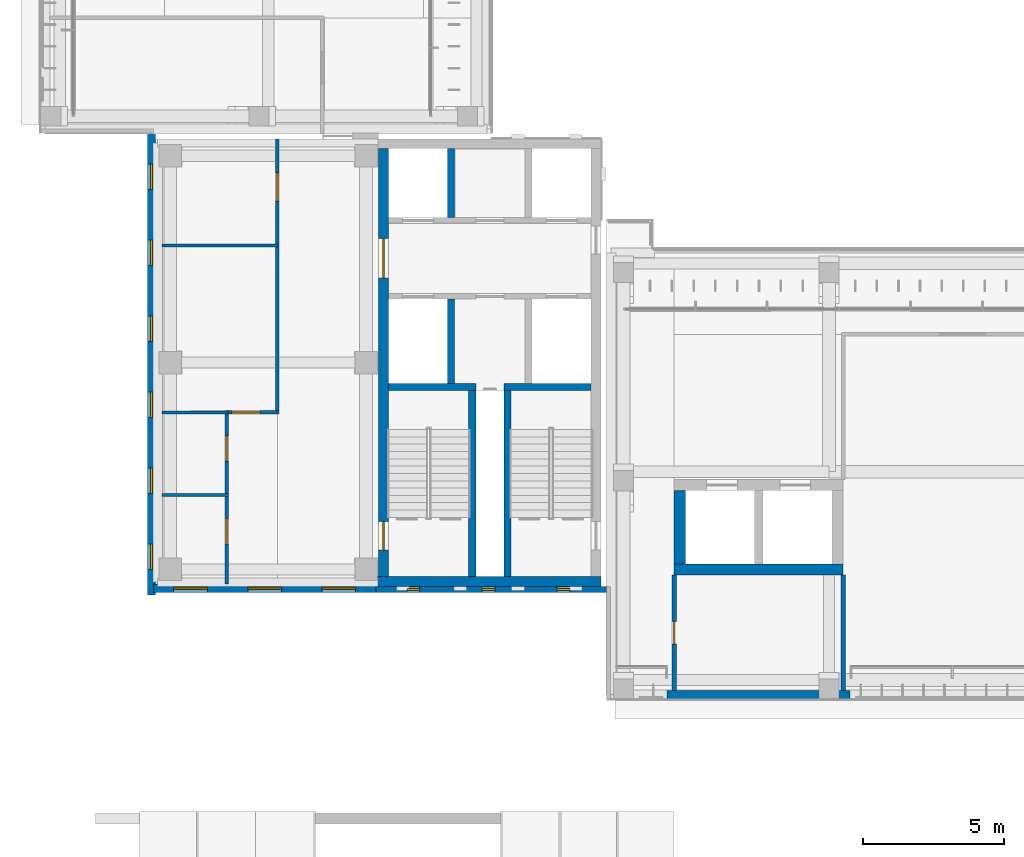
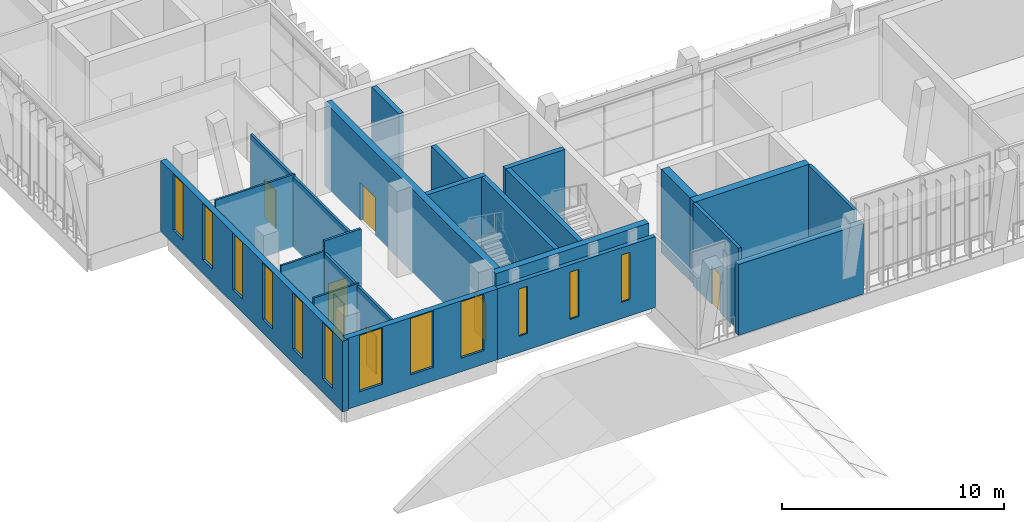
# One storey, part 42 of 74: 22 walls, 12 windows, 7 doors, 19 openings.
"""IFC4 building model written with IfcOpenShell, lengths in metres."""

import ifcopenshell
import ifcopenshell.guid

model = None  # the IFC model being written
_history = None  # IfcOwnerHistory: only IFC2X3 demands one
_inside = {}  # id of a spatial element -> (the spatial element, [elements in it])
_under = {}  # id of a project, library or spatial element -> (it, [spatial elements below it])
_declared = {}  # id of a project -> (the project, [libraries it declares])
_typed = {}  # id of a type object -> (the type object, [elements of that type])
_made_of = {}  # id of a material, layer set ... -> (it, [elements and type objects made of it])


def new_model(schema):
    """Start an empty IFC model of exactly this schema.

    Asked for "IFC4X3", IfcOpenShell would pick the latest addendum, in which some entities
    have other attributes; the version numbers below select the first issue.
    IFC2X3 requires an IfcOwnerHistory on every rooted entity: one is made here for all.
    """
    global model, _history
    if schema == "IFC4X3":
        model = ifcopenshell.file(schema_version=(4, 3, 0, 0))
    else:
        model = ifcopenshell.file(schema=schema)
    _inside.clear()
    _under.clear()
    _declared.clear()
    _typed.clear()
    _made_of.clear()
    _history = None
    if model.schema == "IFC2X3":
        org = make("IfcOrganization", Name="unknown")
        user = make(
            "IfcPersonAndOrganization",
            ThePerson=make("IfcPerson", FamilyName="unknown"),
            TheOrganization=org,
        )
        app = make(
            "IfcApplication",
            ApplicationDeveloper=org,
            Version="unknown",
            ApplicationFullName="unknown",
            ApplicationIdentifier="unknown",
        )
        _history = make(
            "IfcOwnerHistory",
            OwningUser=user,
            OwningApplication=app,
            ChangeAction="ADDED",
            CreationDate=0,
        )
    return model


def make(cls, **values):
    """One entity of the class cls with the attributes given. An attribute that is None is left unset."""
    return model.create_entity(
        cls, **{name: value for name, value in values.items() if value is not None}
    )


def rooted(cls, **values):
    """An entity with a GlobalId (a new one), such as an element, a storey or a relation."""
    return make(cls, GlobalId=ifcopenshell.guid.new(), OwnerHistory=_history, **values)


def si_unit(unit_type, name, prefix=None):
    """IfcSIUnit, for example si_unit("LENGTHUNIT", "METRE", prefix="MILLI")."""
    return make("IfcSIUnit", UnitType=unit_type, Prefix=prefix, Name=name)


def assignment(units):
    """IfcUnitAssignment: the units of a project."""
    return None if units is None else make("IfcUnitAssignment", Units=units)


def point(xyz):
    """IfcCartesianPoint."""
    return None if xyz is None else make("IfcCartesianPoint", Coordinates=xyz)


def direction(xyz):
    """IfcDirection."""
    return None if xyz is None else make("IfcDirection", DirectionRatios=xyz)


def frame(location, z_axis=None, x_axis=None):
    """IfcAxis2Placement3D, a coordinate frame: its origin and axes. An axis left out is left unset."""
    return make(
        "IfcAxis2Placement3D",
        Location=point(location),
        Axis=direction(z_axis),
        RefDirection=direction(x_axis),
    )


def frame_2d(location, x_axis=None):
    """IfcAxis2Placement2D, a coordinate frame in the plane: its origin and x axis."""
    return make(
        "IfcAxis2Placement2D", Location=point(location), RefDirection=direction(x_axis)
    )


def origin():
    """The frame at (0, 0, 0) with its axes left unset."""
    return frame((0.0, 0.0, 0.0))


def place(relative_to, where):
    """IfcLocalPlacement: puts the frame where relative to a parent placement (None: the world)."""
    return make(
        "IfcLocalPlacement", PlacementRelTo=relative_to, RelativePlacement=where
    )


def context(
    kind, dimensions, precision=None, world=None, true_north=None, identifier=None
):
    """IfcGeometricRepresentationContext, for example the 3D "Model" context."""
    return make(
        "IfcGeometricRepresentationContext",
        ContextIdentifier=identifier,
        ContextType=kind,
        CoordinateSpaceDimension=dimensions,
        Precision=precision,
        WorldCoordinateSystem=world,
        TrueNorth=true_north,
    )


def subcontext(parent, identifier, kind, view, scale=None):
    """IfcGeometricRepresentationSubContext, for example "Body" below "Model"."""
    return make(
        "IfcGeometricRepresentationSubContext",
        ContextIdentifier=identifier,
        ContextType=kind,
        ParentContext=parent,
        TargetScale=scale,
        TargetView=view,
    )


def project(units=None, contexts=None):
    """IfcProject with its units and contexts."""
    return rooted(
        "IfcProject",
        Name="project",
        RepresentationContexts=contexts,
        UnitsInContext=assignment(units),
    )


def spatial(cls, under=None, at=None, **own):
    """A site, building, storey or space (cls), placed at a placement, below another one or the project."""
    s = rooted(cls, ObjectPlacement=at, **own)
    if under is not None:
        _under.setdefault(under.id(), (under, []))[1].append(s)
    return s


def profile(cls, at=None, kind="AREA", **sizes):
    """A parametric profile (cls). Its sizes go by their IFC names, for example OverallWidth=200.0."""
    return make(cls, ProfileType=kind, Position=at, **sizes)


def rectangle(**sizes):
    """IfcRectangleProfileDef."""
    return profile("IfcRectangleProfileDef", **sizes)


def extrude(swept, where, along, depth):
    """IfcExtrudedAreaSolid: the profile swept, set in the frame where, extruded along a direction by depth."""
    return make(
        "IfcExtrudedAreaSolid",
        SweptArea=swept,
        Position=where,
        ExtrudedDirection=direction(along),
        Depth=depth,
    )


def shape(context_of_items, identifier, shape_type, items):
    """IfcShapeRepresentation: the items that make up one representation, for example the "Body"."""
    return make(
        "IfcShapeRepresentation",
        ContextOfItems=context_of_items,
        RepresentationIdentifier=identifier,
        RepresentationType=shape_type,
        Items=items,
    )


def material(Name=None, Category=None):
    """IfcMaterial."""
    return make("IfcMaterial", Name=Name, Category=Category)


def layer(
    of_material, thickness, ventilated=None, Name=None, Category=None, Priority=None
):
    """IfcMaterialLayer: one layer of a wall or slab, of a material (None: an air gap)."""
    return make(
        "IfcMaterialLayer",
        Material=of_material,
        LayerThickness=thickness,
        IsVentilated=ventilated,
        Name=Name,
        Category=Category,
        Priority=Priority,
    )


def layer_set(layers, Name=None):
    """IfcMaterialLayerSet."""
    return make("IfcMaterialLayerSet", MaterialLayers=layers, LayerSetName=Name)


def made_of(thing, what):
    """Note that an element or type object is made of a material, layer set ...; save() writes the relation."""
    if what is not None:
        _made_of.setdefault(what.id(), (what, []))[1].append(thing)
    return thing


def type_object(cls, material=None, **own):
    """A type object (cls), such as IfcWallType, which elements share."""
    return made_of(rooted(cls, **own), material)


def element(
    cls,
    number,
    at=None,
    inside=None,
    cuts=None,
    type_object=None,
    material=None,
    context=None,
    identifier="Body",
    shape_type=None,
    held_by="IfcProductDefinitionShape",
    body=None,
    shapes=None,
    **own,
):
    """One element of the class cls, such as IfcWall. Its Tag is "e" and its number.

    at: its placement. inside: the storey or other place that contains it. cuts: it is an
    opening in that element (IfcRelVoidsElement). A single representation is given by context,
    identifier, shape_type and body (its items); several are given by shapes. held_by: the class
    of the entity that holds the representations. save() writes the other relations.
    """
    e = rooted(cls, Tag="e%d" % number, ObjectPlacement=at, **own)
    if body is not None:
        shapes = [shape(context, identifier, shape_type, body)]
    if shapes is not None:
        e.Representation = make(held_by, Representations=shapes)
    if inside is not None:
        _inside.setdefault(inside.id(), (inside, []))[1].append(e)
    if cuts is not None:
        rooted(
            "IfcRelVoidsElement", RelatingBuildingElement=cuts, RelatedOpeningElement=e
        )
    if type_object is not None:
        _typed.setdefault(type_object.id(), (type_object, []))[1].append(e)
    return made_of(e, material)


def fill(opening, filler):
    """IfcRelFillsElement: the door or window that sits in an opening."""
    return rooted(
        "IfcRelFillsElement",
        RelatingOpeningElement=opening,
        RelatedBuildingElement=filler,
    )


def aggregate(whole, parts):
    """IfcRelAggregates: a whole, such as a stair, and the parts it consists of."""
    return rooted("IfcRelAggregates", RelatingObject=whole, RelatedObjects=parts)


def save(model, path):
    """Write the relations noted so far, then the file.

    IfcRelAggregates (storeys below a building ...), IfcRelContainedInSpatialStructure (elements
    in a storey), IfcRelDefinesByType, IfcRelAssociatesMaterial and IfcRelDeclares: one each for
    every whole, place, type object, material and project.
    """
    for whole, parts in _under.values():
        aggregate(whole, parts)
    for where, things in _inside.values():
        rooted(
            "IfcRelContainedInSpatialStructure",
            RelatedElements=things,
            RelatingStructure=where,
        )
    for kind, things in _typed.values():
        rooted("IfcRelDefinesByType", RelatedObjects=things, RelatingType=kind)
    for what, things in _made_of.values():
        rooted("IfcRelAssociatesMaterial", RelatedObjects=things, RelatingMaterial=what)
    for by, libraries in _declared.values():
        rooted("IfcRelDeclares", RelatingContext=by, RelatedDefinitions=libraries)
    model.write(path)


model = new_model("IFC4")

# Units and contexts
model_context = context("Model", 3, precision=1e-05, world=origin(), true_north=direction((0.0, 1.0)))
body_context = subcontext(model_context, "Body", "Model", "MODEL_VIEW")
ifc_project = project(units=[si_unit("LENGTHUNIT", "METRE"), si_unit("AREAUNIT", "SQUARE_METRE"), si_unit("VOLUMEUNIT", "CUBIC_METRE"), si_unit("PLANEANGLEUNIT", "RADIAN"), si_unit("MASSUNIT", "GRAM", prefix="KILO")], contexts=[model_context])

# Site, building, storey
site_placement = place(None, origin())
site = spatial("IfcSite", under=ifc_project, at=site_placement, CompositionType="ELEMENT")
building_placement = place(site_placement, origin())
building = spatial("IfcBuilding", under=site, at=building_placement, Name="Lantern Court Media Centre", CompositionType="ELEMENT")
storey_placement = place(building_placement, frame((0.0, 0.0, 19.199951171875)))
storey = spatial("IfcBuildingStorey", under=building, at=storey_placement, Name="L04", CompositionType="ELEMENT", Elevation=19.199951171875)

# Wall, opening, door
ifc_material_1 = material(Name="Gypsum board partition")
ifc_layer_1 = layer(ifc_material_1, 0.125)
ifc_layer_set_1 = layer_set([ifc_layer_1], Name="Gypsum board partition")
wall_type_1 = type_object("IfcWallType", Name="Corridor partition 125", PredefinedType="PARTITIONING", material=ifc_layer_set_1)
wall_1_placement = place(storey_placement, frame((12.39990234375, 54.2421875, 0.0), z_axis=(0.0, 0.0, 1.0), x_axis=(0.0, 1.0, 0.0)))
wall_1 = element("IfcWall", 1, at=wall_1_placement, inside=storey, type_object=wall_type_1, Name="L04 partition 040", PredefinedType="PARTITIONING", context=body_context, shape_type="SweptSolid", body=[
    extrude(rectangle(XDim=9.65771484375, YDim=0.125, at=frame_2d((4.828857421875, 0.0))), origin(), (0.0, 0.0, 1.0), 3.880126953125),
])
opening_1_placement = place(wall_1_placement, frame((7.44677734375, 0.0, 0.0)))
opening_1 = element("IfcOpeningElement", 2, at=opening_1_placement, cuts=wall_1, Name="Opening L04-030", PredefinedType="OPENING", context=body_context, shape_type="SweptSolid", body=[
    extrude(rectangle(XDim=1.0, YDim=2.10009765625, at=frame_2d((0.5, 1.050048828125))), frame((0.0, 0.072509765625, 0.0), z_axis=(0.0, -1.0, 0.0), x_axis=(1.0, 0.0, 0.0)), (0.0, 0.0, 1.0), 0.14501953125),
])
ifc_material_2 = material(Name="Solid-core timber door leaf", Category="wood")
door_type_1 = type_object("IfcDoorType", Name="Single door 1000x2100", OperationType="NOTDEFINED", PredefinedType="DOOR", material=ifc_material_2)
door_1_placement = place(opening_1_placement, origin())
door_1 = element("IfcDoor", 3, at=door_1_placement, inside=storey, type_object=door_type_1, Name="L04 Library Administration Office door", OperationType="SINGLE_SWING_LEFT", OverallHeight=2.10009765625, OverallWidth=1.0, PredefinedType="DOOR", context=body_context, shape_type="SweptSolid", body=[
    extrude(rectangle(XDim=1.0, YDim=2.10009765625, at=frame_2d((0.5, 1.050048828125))), frame((0.0, 0.02490234375, 0.0), z_axis=(0.0, -1.0, 0.0), x_axis=(1.0, 0.0, 0.0)), (0.0, 0.0, 1.0), 0.050048828125),
])
fill(opening_1, door_1)

wall_2_placement = place(storey_placement, frame((10.53759765625, 54.179931640625, 0.0), z_axis=(0.0, 0.0, 1.0), x_axis=(1.0, 0.0, 0.0)))
wall_2 = element("IfcWall", 4, at=wall_2_placement, inside=storey, type_object=wall_type_1, Name="L04 partition 043", PredefinedType="PARTITIONING", context=body_context, shape_type="SweptSolid", body=[
    extrude(rectangle(XDim=1.9248046875, YDim=0.125, at=frame_2d((0.96240234375, 0.0))), origin(), (0.0, 0.0, 1.0), 4.56005859375),
])
opening_2_placement = place(wall_2_placement, frame((0.245849609375, 0.0, 0.0)))
opening_2 = element("IfcOpeningElement", 5, at=opening_2_placement, cuts=wall_2, Name="Opening L04-029", PredefinedType="OPENING", context=body_context, shape_type="SweptSolid", body=[
    extrude(rectangle(XDim=1.0, YDim=2.10009765625, at=frame_2d((0.5, 1.050048828125))), frame((0.0, 0.072509765625, 0.0), z_axis=(0.0, -1.0, 0.0), x_axis=(1.0, 0.0, 0.0)), (0.0, 0.0, 1.0), 0.14501953125),
])
door_2_placement = place(opening_2_placement, origin())
door_2 = element("IfcDoor", 6, at=door_2_placement, inside=storey, type_object=door_type_1, Name="L04 Digital Media Lab door", OperationType="SINGLE_SWING_RIGHT", OverallHeight=2.10009765625, OverallWidth=1.0, PredefinedType="DOOR", context=body_context, shape_type="SweptSolid", body=[
    extrude(rectangle(XDim=1.0, YDim=2.10009765625, at=frame_2d((0.5, 1.050048828125))), frame((0.0, 0.02490234375, 0.0), z_axis=(0.0, -1.0, 0.0), x_axis=(1.0, 0.0, 0.0)), (0.0, 0.0, 1.0), 0.050048828125),
])
fill(opening_2, door_2)

# Wall, openings, doors
wall_3_placement = place(storey_placement, frame((10.60009765625, 48.080078125, 0.0), z_axis=(0.0, 0.0, 1.0), x_axis=(0.0, 1.0, 0.0)))
wall_3 = element("IfcWall", 7, at=wall_3_placement, inside=storey, type_object=wall_type_1, Name="L04 partition 045", PredefinedType="PARTITIONING", context=body_context, shape_type="SweptSolid", body=[
    extrude(rectangle(XDim=6.037109375, YDim=0.125, at=frame_2d((3.0185546875, 0.0))), origin(), (0.0, 0.0, 1.0), 3.880126953125),
])
opening_3_placement = place(wall_3_placement, frame((1.4267578125, 0.0, 0.0)))
opening_3 = element("IfcOpeningElement", 8, at=opening_3_placement, cuts=wall_3, Name="Opening L04-031", PredefinedType="OPENING", context=body_context, shape_type="SweptSolid", body=[
    extrude(rectangle(XDim=0.89990234375, YDim=2.10009765625, at=frame_2d((0.449951171875, 1.050048828125))), frame((0.0, 0.072509765625, 0.0), z_axis=(0.0, -1.0, 0.0), x_axis=(1.0, 0.0, 0.0)), (0.0, 0.0, 1.0), 0.14501953125),
])
opening_4_placement = place(wall_3_placement, frame((4.36669921875, 0.0, 0.0)))
opening_4 = element("IfcOpeningElement", 9, at=opening_4_placement, cuts=wall_3, Name="Opening L04-032", PredefinedType="OPENING", context=body_context, shape_type="SweptSolid", body=[
    extrude(rectangle(XDim=0.89990234375, YDim=2.10009765625, at=frame_2d((0.449951171875, 1.050048828125))), frame((0.0, 0.072509765625, 0.0), z_axis=(0.0, -1.0, 0.0), x_axis=(1.0, 0.0, 0.0)), (0.0, 0.0, 1.0), 0.14501953125),
])
door_type_2 = type_object("IfcDoorType", Name="Single door 900x2100", OperationType="NOTDEFINED", PredefinedType="DOOR", material=ifc_material_2)
door_3_placement = place(opening_3_placement, origin())
door_3 = element("IfcDoor", 10, at=door_3_placement, inside=storey, type_object=door_type_2, Name="L04 WC Male door", OperationType="SINGLE_SWING_RIGHT", OverallHeight=2.10009765625, OverallWidth=0.89990234375, PredefinedType="DOOR", context=body_context, shape_type="SweptSolid", body=[
    extrude(rectangle(XDim=0.89990234375, YDim=2.10009765625, at=frame_2d((0.449951171875, 1.050048828125))), frame((0.0, 0.02490234375, 0.0), z_axis=(0.0, -1.0, 0.0), x_axis=(1.0, 0.0, 0.0)), (0.0, 0.0, 1.0), 0.050048828125),
])
fill(opening_3, door_3)
door_4_placement = place(opening_4_placement, origin())
door_4 = element("IfcDoor", 11, at=door_4_placement, inside=storey, type_object=door_type_2, Name="L04 WC Female door", OperationType="SINGLE_SWING_LEFT", OverallHeight=2.10009765625, OverallWidth=0.89990234375, PredefinedType="DOOR", context=body_context, shape_type="SweptSolid", body=[
    extrude(rectangle(XDim=0.89990234375, YDim=2.10009765625, at=frame_2d((0.449951171875, 1.050048828125))), frame((0.0, 0.02490234375, 0.0), z_axis=(0.0, -1.0, 0.0), x_axis=(1.0, 0.0, 0.0)), (0.0, 0.0, 1.0), 0.050048828125),
])
fill(opening_4, door_4)

# Wall, openings, windows
ifc_material_3 = material(Name="Honed limestone cladding on blockwork", Category="masonry")
ifc_layer_2 = layer(ifc_material_3, 0.300048828125)
ifc_layer_set_2 = layer_set([ifc_layer_2], Name="Honed limestone cladding on blockwork")
wall_type_2 = type_object("IfcWallType", Name="Limestone block wall 300", PredefinedType="SOLIDWALL", material=ifc_layer_set_2)
wall_4_placement = place(storey_placement, frame((7.929931640625, 47.699951171875, 0.0), z_axis=(0.0, 0.0, 1.0), x_axis=(0.0, 1.0, 0.0)))
wall_4 = element("IfcWall", 12, at=wall_4_placement, inside=storey, type_object=wall_type_2, Name="Limestone wall SW W L04", PredefinedType="SOLIDWALL", context=body_context, shape_type="SweptSolid", body=[
    extrude(rectangle(XDim=16.400146484375, YDim=0.300048828125, at=frame_2d((8.2001953125, 0.0))), origin(), (0.0, 0.0, 1.0), 3.900146484375),
])
opening_5_placement = place(wall_4_placement, frame((0.89990234375, 0.0, 0.75)))
opening_5 = element("IfcOpeningElement", 13, at=opening_5_placement, cuts=wall_4, Name="Opening WN-N", PredefinedType="OPENING", context=body_context, shape_type="SweptSolid", body=[
    extrude(rectangle(XDim=0.89990234375, YDim=3.10009765625, at=frame_2d((0.449951171875, 1.550048828125))), frame((0.0, 0.159912109375, 0.0), z_axis=(0.0, -1.0, 0.0), x_axis=(1.0, 0.0, 0.0)), (0.0, 0.0, 1.0), 0.320068359375),
])
opening_6_placement = place(wall_4_placement, frame((3.60009765625, 0.0, 0.75)))
opening_6 = element("IfcOpeningElement", 14, at=opening_6_placement, cuts=wall_4, Name="Opening WN-N", PredefinedType="OPENING", context=body_context, shape_type="SweptSolid", body=[
    extrude(rectangle(XDim=0.89990234375, YDim=3.10009765625, at=frame_2d((0.449951171875, 1.550048828125))), frame((0.0, 0.159912109375, 0.0), z_axis=(0.0, -1.0, 0.0), x_axis=(1.0, 0.0, 0.0)), (0.0, 0.0, 1.0), 0.320068359375),
])
opening_7_placement = place(wall_4_placement, frame((6.300048828125, 0.0, 0.75)))
opening_7 = element("IfcOpeningElement", 15, at=opening_7_placement, cuts=wall_4, Name="Opening WN-N", PredefinedType="OPENING", context=body_context, shape_type="SweptSolid", body=[
    extrude(rectangle(XDim=0.89990234375, YDim=3.10009765625, at=frame_2d((0.449951171875, 1.550048828125))), frame((0.0, 0.159912109375, 0.0), z_axis=(0.0, -1.0, 0.0), x_axis=(1.0, 0.0, 0.0)), (0.0, 0.0, 1.0), 0.320068359375),
])
opening_8_placement = place(wall_4_placement, frame((9.0, 0.0, 0.75)))
opening_8 = element("IfcOpeningElement", 16, at=opening_8_placement, cuts=wall_4, Name="Opening WN-N", PredefinedType="OPENING", context=body_context, shape_type="SweptSolid", body=[
    extrude(rectangle(XDim=0.89990234375, YDim=3.10009765625, at=frame_2d((0.449951171875, 1.550048828125))), frame((0.0, 0.159912109375, 0.0), z_axis=(0.0, -1.0, 0.0), x_axis=(1.0, 0.0, 0.0)), (0.0, 0.0, 1.0), 0.320068359375),
])
opening_9_placement = place(wall_4_placement, frame((11.699951171875, 0.0, 0.75)))
opening_9 = element("IfcOpeningElement", 17, at=opening_9_placement, cuts=wall_4, Name="Opening WN-N", PredefinedType="OPENING", context=body_context, shape_type="SweptSolid", body=[
    extrude(rectangle(XDim=0.89990234375, YDim=3.10009765625, at=frame_2d((0.449951171875, 1.550048828125))), frame((0.0, 0.159912109375, 0.0), z_axis=(0.0, -1.0, 0.0), x_axis=(1.0, 0.0, 0.0)), (0.0, 0.0, 1.0), 0.320068359375),
])
opening_10_placement = place(wall_4_placement, frame((14.39990234375, 0.0, 0.75)))
opening_10 = element("IfcOpeningElement", 18, at=opening_10_placement, cuts=wall_4, Name="Opening WN-N", PredefinedType="OPENING", context=body_context, shape_type="SweptSolid", body=[
    extrude(rectangle(XDim=0.89990234375, YDim=3.10009765625, at=frame_2d((0.449951171875, 1.550048828125))), frame((0.0, 0.159912109375, 0.0), z_axis=(0.0, -1.0, 0.0), x_axis=(1.0, 0.0, 0.0)), (0.0, 0.0, 1.0), 0.320068359375),
])
ifc_material_4 = material(Name="Anodised aluminium and glass", Category="aluminium")
window_type_1 = type_object("IfcWindowType", Name="Pier window 900x3100", PartitioningType="SINGLE_PANEL", PredefinedType="WINDOW", material=ifc_material_4)
window_1_placement = place(opening_5_placement, origin())
window_1 = element("IfcWindow", 19, at=window_1_placement, inside=storey, type_object=window_type_1, Name="Window SW W L04", OverallHeight=3.10009765625, OverallWidth=0.89990234375, PartitioningType="SINGLE_PANEL", PredefinedType="WINDOW", context=body_context, shape_type="SweptSolid", body=[
    extrude(rectangle(XDim=0.89990234375, YDim=3.10009765625, at=frame_2d((0.449951171875, 1.550048828125))), frame((0.0, 0.030029296875, 0.0), z_axis=(0.0, -1.0, 0.0), x_axis=(1.0, 0.0, 0.0)), (0.0, 0.0, 1.0), 0.06005859375),
])
fill(opening_5, window_1)
window_2_placement = place(opening_6_placement, origin())
window_2 = element("IfcWindow", 20, at=window_2_placement, inside=storey, type_object=window_type_1, Name="Window SW W L04", OverallHeight=3.10009765625, OverallWidth=0.89990234375, PartitioningType="SINGLE_PANEL", PredefinedType="WINDOW", context=body_context, shape_type="SweptSolid", body=[
    extrude(rectangle(XDim=0.89990234375, YDim=3.10009765625, at=frame_2d((0.449951171875, 1.550048828125))), frame((0.0, 0.030029296875, 0.0), z_axis=(0.0, -1.0, 0.0), x_axis=(1.0, 0.0, 0.0)), (0.0, 0.0, 1.0), 0.06005859375),
])
fill(opening_6, window_2)
window_3_placement = place(opening_7_placement, origin())
window_3 = element("IfcWindow", 21, at=window_3_placement, inside=storey, type_object=window_type_1, Name="Window SW W L04", OverallHeight=3.10009765625, OverallWidth=0.89990234375, PartitioningType="SINGLE_PANEL", PredefinedType="WINDOW", context=body_context, shape_type="SweptSolid", body=[
    extrude(rectangle(XDim=0.89990234375, YDim=3.10009765625, at=frame_2d((0.449951171875, 1.550048828125))), frame((0.0, 0.030029296875, 0.0), z_axis=(0.0, -1.0, 0.0), x_axis=(1.0, 0.0, 0.0)), (0.0, 0.0, 1.0), 0.06005859375),
])
fill(opening_7, window_3)
window_4_placement = place(opening_8_placement, origin())
window_4 = element("IfcWindow", 22, at=window_4_placement, inside=storey, type_object=window_type_1, Name="Window SW W L04", OverallHeight=3.10009765625, OverallWidth=0.89990234375, PartitioningType="SINGLE_PANEL", PredefinedType="WINDOW", context=body_context, shape_type="SweptSolid", body=[
    extrude(rectangle(XDim=0.89990234375, YDim=3.10009765625, at=frame_2d((0.449951171875, 1.550048828125))), frame((0.0, 0.030029296875, 0.0), z_axis=(0.0, -1.0, 0.0), x_axis=(1.0, 0.0, 0.0)), (0.0, 0.0, 1.0), 0.06005859375),
])
fill(opening_8, window_4)
window_5_placement = place(opening_9_placement, origin())
window_5 = element("IfcWindow", 23, at=window_5_placement, inside=storey, type_object=window_type_1, Name="Window SW W L04", OverallHeight=3.10009765625, OverallWidth=0.89990234375, PartitioningType="SINGLE_PANEL", PredefinedType="WINDOW", context=body_context, shape_type="SweptSolid", body=[
    extrude(rectangle(XDim=0.89990234375, YDim=3.10009765625, at=frame_2d((0.449951171875, 1.550048828125))), frame((0.0, 0.030029296875, 0.0), z_axis=(0.0, -1.0, 0.0), x_axis=(1.0, 0.0, 0.0)), (0.0, 0.0, 1.0), 0.06005859375),
])
fill(opening_9, window_5)
window_6_placement = place(opening_10_placement, origin())
window_6 = element("IfcWindow", 24, at=window_6_placement, inside=storey, type_object=window_type_1, Name="Window SW W L04", OverallHeight=3.10009765625, OverallWidth=0.89990234375, PartitioningType="SINGLE_PANEL", PredefinedType="WINDOW", context=body_context, shape_type="SweptSolid", body=[
    extrude(rectangle(XDim=0.89990234375, YDim=3.10009765625, at=frame_2d((0.449951171875, 1.550048828125))), frame((0.0, 0.030029296875, 0.0), z_axis=(0.0, -1.0, 0.0), x_axis=(1.0, 0.0, 0.0)), (0.0, 0.0, 1.0), 0.06005859375),
])
fill(opening_10, window_6)

wall_5_placement = place(storey_placement, frame((8.0, 47.929931640625, 0.0), z_axis=(0.0, 0.0, 1.0), x_axis=(1.0, 0.0, 0.0)))
wall_5 = element("IfcWall", 25, at=wall_5_placement, inside=storey, type_object=wall_type_2, Name="Limestone wall SW S L04", PredefinedType="SOLIDWALL", context=body_context, shape_type="SweptSolid", body=[
    extrude(rectangle(XDim=7.89990234375, YDim=0.300048828125, at=frame_2d((3.949951171875, 0.0))), origin(), (0.0, 0.0, 1.0), 3.900146484375),
])
opening_11_placement = place(wall_5_placement, frame((0.716552734375, 0.0, 0.75)))
opening_11 = element("IfcOpeningElement", 26, at=opening_11_placement, cuts=wall_5, Name="Opening WN-T", PredefinedType="OPENING", context=body_context, shape_type="SweptSolid", body=[
    extrude(rectangle(XDim=1.199951171875, YDim=3.10009765625, at=frame_2d((0.60009765625, 1.550048828125))), frame((0.0, 0.159912109375, 0.0), z_axis=(0.0, -1.0, 0.0), x_axis=(1.0, 0.0, 0.0)), (0.0, 0.0, 1.0), 0.320068359375),
])
opening_12_placement = place(wall_5_placement, frame((3.35009765625, 0.0, 0.75)))
opening_12 = element("IfcOpeningElement", 27, at=opening_12_placement, cuts=wall_5, Name="Opening WN-T", PredefinedType="OPENING", context=body_context, shape_type="SweptSolid", body=[
    extrude(rectangle(XDim=1.199951171875, YDim=3.10009765625, at=frame_2d((0.60009765625, 1.550048828125))), frame((0.0, 0.159912109375, 0.0), z_axis=(0.0, -1.0, 0.0), x_axis=(1.0, 0.0, 0.0)), (0.0, 0.0, 1.0), 0.320068359375),
])
opening_13_placement = place(wall_5_placement, frame((5.9833984375, 0.0, 0.75)))
opening_13 = element("IfcOpeningElement", 28, at=opening_13_placement, cuts=wall_5, Name="Opening WN-T", PredefinedType="OPENING", context=body_context, shape_type="SweptSolid", body=[
    extrude(rectangle(XDim=1.199951171875, YDim=3.10009765625, at=frame_2d((0.60009765625, 1.550048828125))), frame((0.0, 0.159912109375, 0.0), z_axis=(0.0, -1.0, 0.0), x_axis=(1.0, 0.0, 0.0)), (0.0, 0.0, 1.0), 0.320068359375),
])
window_type_2 = type_object("IfcWindowType", Name="Tall window 1200x3100", PartitioningType="SINGLE_PANEL", PredefinedType="WINDOW", material=ifc_material_4)
window_7_placement = place(opening_11_placement, origin())
window_7 = element("IfcWindow", 29, at=window_7_placement, inside=storey, type_object=window_type_2, Name="Window SW S L04", OverallHeight=3.10009765625, OverallWidth=1.199951171875, PartitioningType="SINGLE_PANEL", PredefinedType="WINDOW", context=body_context, shape_type="SweptSolid", body=[
    extrude(rectangle(XDim=1.199951171875, YDim=3.10009765625, at=frame_2d((0.60009765625, 1.550048828125))), frame((0.0, 0.030029296875, 0.0), z_axis=(0.0, -1.0, 0.0), x_axis=(1.0, 0.0, 0.0)), (0.0, 0.0, 1.0), 0.06005859375),
])
fill(opening_11, window_7)
window_8_placement = place(opening_12_placement, origin())
window_8 = element("IfcWindow", 30, at=window_8_placement, inside=storey, type_object=window_type_2, Name="Window SW S L04", OverallHeight=3.10009765625, OverallWidth=1.199951171875, PartitioningType="SINGLE_PANEL", PredefinedType="WINDOW", context=body_context, shape_type="SweptSolid", body=[
    extrude(rectangle(XDim=1.199951171875, YDim=3.10009765625, at=frame_2d((0.60009765625, 1.550048828125))), frame((0.0, 0.030029296875, 0.0), z_axis=(0.0, -1.0, 0.0), x_axis=(1.0, 0.0, 0.0)), (0.0, 0.0, 1.0), 0.06005859375),
])
fill(opening_12, window_8)
window_9_placement = place(opening_13_placement, origin())
window_9 = element("IfcWindow", 31, at=window_9_placement, inside=storey, type_object=window_type_2, Name="Window SW S L04", OverallHeight=3.10009765625, OverallWidth=1.199951171875, PartitioningType="SINGLE_PANEL", PredefinedType="WINDOW", context=body_context, shape_type="SweptSolid", body=[
    extrude(rectangle(XDim=1.199951171875, YDim=3.10009765625, at=frame_2d((0.60009765625, 1.550048828125))), frame((0.0, 0.030029296875, 0.0), z_axis=(0.0, -1.0, 0.0), x_axis=(1.0, 0.0, 0.0)), (0.0, 0.0, 1.0), 0.06005859375),
])
fill(opening_13, window_9)

# Wall
ifc_layer_3 = layer(ifc_material_3, 0.300048828125)
ifc_layer_set_3 = layer_set([ifc_layer_3], Name="Honed limestone cladding on blockwork")
wall_type_3 = type_object("IfcWallType", Name="Limestone flank wall 300", PredefinedType="SOLIDWALL", material=ifc_layer_set_3)
wall_6_placement = place(storey_placement, frame((26.25, 44.14990234375, 0.0), z_axis=(0.0, 0.0, 1.0), x_axis=(1.0, 0.0, 0.0)))
element("IfcWall", 32, at=wall_6_placement, inside=storey, type_object=wall_type_3, Name="Limestone flank wall S outer L04", PredefinedType="SOLIDWALL", context=body_context, shape_type="SweptSolid", body=[
    extrude(rectangle(XDim=6.5, YDim=0.300048828125, at=frame_2d((3.25, 0.0))), origin(), (0.0, 0.0, 1.0), 3.900146484375),
])

# Wall, openings, windows
ifc_material_5 = material(Name="Honed limestone cladding on blockwork, reduced to 220 where it passes the core wall", Category="masonry")
ifc_layer_4 = layer(ifc_material_5, 0.219970703125)
ifc_layer_set_4 = layer_set([ifc_layer_4], Name="Honed limestone cladding on blockwork, reduced to 220 where it passes the core wall")
wall_type_4 = type_object("IfcWallType", Name="Limestone skin wall 220", PredefinedType="SOLIDWALL", material=ifc_layer_set_4)
wall_7_placement = place(storey_placement, frame((15.89990234375, 47.889892578125, 0.0), z_axis=(0.0, 0.0, 1.0), x_axis=(1.0, 0.0, 0.0)))
wall_7 = element("IfcWall", 33, at=wall_7_placement, inside=storey, type_object=wall_type_4, Name="Limestone wall SW S L04", PredefinedType="SOLIDWALL", context=body_context, shape_type="SweptSolid", body=[
    extrude(rectangle(XDim=8.2001953125, YDim=0.219970703125, at=frame_2d((4.10009765625, 0.0))), origin(), (0.0, 0.0, 1.0), 3.900146484375),
])
opening_14_placement = place(wall_7_placement, frame((1.1083984375, 0.0, 0.89990234375)))
opening_14 = element("IfcOpeningElement", 34, at=opening_14_placement, cuts=wall_7, Name="Opening WN-S", PredefinedType="OPENING", context=body_context, shape_type="SweptSolid", body=[
    extrude(rectangle(XDim=0.449951171875, YDim=2.60009765625, at=frame_2d((0.22509765625, 1.300048828125))), frame((0.0, 0.119873046875, 0.0), z_axis=(0.0, -1.0, 0.0), x_axis=(1.0, 0.0, 0.0)), (0.0, 0.0, 1.0), 0.239990234375),
])
opening_15_placement = place(wall_7_placement, frame((3.77490234375, 0.0, 0.89990234375)))
opening_15 = element("IfcOpeningElement", 35, at=opening_15_placement, cuts=wall_7, Name="Opening WN-S", PredefinedType="OPENING", context=body_context, shape_type="SweptSolid", body=[
    extrude(rectangle(XDim=0.449951171875, YDim=2.60009765625, at=frame_2d((0.22509765625, 1.300048828125))), frame((0.0, 0.119873046875, 0.0), z_axis=(0.0, -1.0, 0.0), x_axis=(1.0, 0.0, 0.0)), (0.0, 0.0, 1.0), 0.239990234375),
])
opening_16_placement = place(wall_7_placement, frame((6.441650390625, 0.0, 0.89990234375)))
opening_16 = element("IfcOpeningElement", 36, at=opening_16_placement, cuts=wall_7, Name="Opening WN-S", PredefinedType="OPENING", context=body_context, shape_type="SweptSolid", body=[
    extrude(rectangle(XDim=0.449951171875, YDim=2.60009765625, at=frame_2d((0.22509765625, 1.300048828125))), frame((0.0, 0.119873046875, 0.0), z_axis=(0.0, -1.0, 0.0), x_axis=(1.0, 0.0, 0.0)), (0.0, 0.0, 1.0), 0.239990234375),
])
window_type_3 = type_object("IfcWindowType", Name="Stair slit window 450x2600", PartitioningType="SINGLE_PANEL", PredefinedType="WINDOW", material=ifc_material_4)
window_10_placement = place(opening_14_placement, origin())
window_10 = element("IfcWindow", 37, at=window_10_placement, inside=storey, type_object=window_type_3, Name="Window SW S L04", OverallHeight=2.60009765625, OverallWidth=0.449951171875, PartitioningType="SINGLE_PANEL", PredefinedType="WINDOW", context=body_context, shape_type="SweptSolid", body=[
    extrude(rectangle(XDim=0.449951171875, YDim=2.60009765625, at=frame_2d((0.22509765625, 1.300048828125))), frame((0.0, 0.030029296875, 0.0), z_axis=(0.0, -1.0, 0.0), x_axis=(1.0, 0.0, 0.0)), (0.0, 0.0, 1.0), 0.06005859375),
])
fill(opening_14, window_10)
window_11_placement = place(opening_15_placement, origin())
window_11 = element("IfcWindow", 38, at=window_11_placement, inside=storey, type_object=window_type_3, Name="Window SW S L04", OverallHeight=2.60009765625, OverallWidth=0.449951171875, PartitioningType="SINGLE_PANEL", PredefinedType="WINDOW", context=body_context, shape_type="SweptSolid", body=[
    extrude(rectangle(XDim=0.449951171875, YDim=2.60009765625, at=frame_2d((0.22509765625, 1.300048828125))), frame((0.0, 0.030029296875, 0.0), z_axis=(0.0, -1.0, 0.0), x_axis=(1.0, 0.0, 0.0)), (0.0, 0.0, 1.0), 0.06005859375),
])
fill(opening_15, window_11)
window_12_placement = place(opening_16_placement, origin())
window_12 = element("IfcWindow", 39, at=window_12_placement, inside=storey, type_object=window_type_3, Name="Window SW S L04", OverallHeight=2.60009765625, OverallWidth=0.449951171875, PartitioningType="SINGLE_PANEL", PredefinedType="WINDOW", context=body_context, shape_type="SweptSolid", body=[
    extrude(rectangle(XDim=0.449951171875, YDim=2.60009765625, at=frame_2d((0.22509765625, 1.300048828125))), frame((0.0, 0.030029296875, 0.0), z_axis=(0.0, -1.0, 0.0), x_axis=(1.0, 0.0, 0.0)), (0.0, 0.0, 1.0), 0.06005859375),
])
fill(opening_16, window_12)

# Walls
ifc_layer_5 = layer(ifc_material_1, 0.10009765625)
ifc_layer_set_5 = layer_set([ifc_layer_5], Name="Gypsum board partition")
wall_type_5 = type_object("IfcWallType", Name="Partition 100", PredefinedType="PARTITIONING", material=ifc_layer_set_5)
wall_8_placement = place(storey_placement, frame((8.300048828125, 54.179931640625, 0.0), z_axis=(0.0, 0.0, 1.0), x_axis=(1.0, 0.0, 0.0)))
element("IfcWall", 40, at=wall_8_placement, inside=storey, type_object=wall_type_5, Name="L04 partition 042", PredefinedType="PARTITIONING", context=body_context, shape_type="SweptSolid", body=[
    extrude(rectangle(XDim=2.362548828125, YDim=0.10009765625, at=frame_2d((1.18115234375, 0.0))), origin(), (0.0, 0.0, 1.0), 3.97998046875),
])
wall_9_placement = place(storey_placement, frame((8.300048828125, 60.10693359375, 0.0), z_axis=(0.0, 0.0, 1.0), x_axis=(1.0, 0.0, 0.0)))
element("IfcWall", 41, at=wall_9_placement, inside=storey, type_object=wall_type_5, Name="L04 partition 044", PredefinedType="PARTITIONING", context=body_context, shape_type="SweptSolid", body=[
    extrude(rectangle(XDim=4.162353515625, YDim=0.10009765625, at=frame_2d((2.0810546875, 0.0))), origin(), (0.0, 0.0, 1.0), 3.97998046875),
])
wall_10_placement = place(storey_placement, frame((8.300048828125, 51.239990234375, 0.0), z_axis=(0.0, 0.0, 1.0), x_axis=(1.0, 0.0, 0.0)))
element("IfcWall", 42, at=wall_10_placement, inside=storey, type_object=wall_type_5, Name="L04 partition 047", PredefinedType="PARTITIONING", context=body_context, shape_type="SweptSolid", body=[
    extrude(rectangle(XDim=2.362548828125, YDim=0.10009765625, at=frame_2d((1.18115234375, 0.0))), origin(), (0.0, 0.0, 1.0), 3.97998046875),
])
ifc_material_6 = material(Name="Concrete C40", Category="concrete")
ifc_layer_6 = layer(ifc_material_6, 0.35009765625)
ifc_layer_set_6 = layer_set([ifc_layer_6], Name="Concrete C40")
wall_type_6 = type_object("IfcWallType", Name="RC CORE WALL 350", PredefinedType="SHEAR", material=ifc_layer_set_6)
wall_11_placement = place(storey_placement, frame((15.949951171875, 48.175048828125, 0.0), z_axis=(0.0, 0.0, 1.0), x_axis=(1.0, 0.0, 0.0)))
element("IfcWall", 43, at=wall_11_placement, inside=storey, type_object=wall_type_6, Name="WC-SW-L04-S", PredefinedType="SHEAR", context=body_context, shape_type="SweptSolid", body=[
    extrude(rectangle(XDim=7.949951171875, YDim=0.35009765625, at=frame_2d((3.97509765625, 0.0))), origin(), (0.0, 0.0, 1.0), 4.580078125),
])

# Wall, openings, doors
wall_12_placement = place(storey_placement, frame((16.175048828125, 48.35009765625, 0.0), z_axis=(0.0, 0.0, 1.0), x_axis=(0.0, 1.0, 0.0)))
wall_12 = element("IfcWall", 44, at=wall_12_placement, inside=storey, type_object=wall_type_6, Name="WC-SW-L04-W", PredefinedType="SHEAR", context=body_context, shape_type="SweptSolid", body=[
    extrude(rectangle(XDim=15.199951171875, YDim=0.35009765625, at=frame_2d((7.60009765625, 0.0))), origin(), (0.0, 0.0, 1.0), 4.580078125),
])
opening_17_placement = place(wall_12_placement, frame((0.949951171875, 0.0, 0.0)))
opening_17 = element("IfcOpeningElement", 45, at=opening_17_placement, cuts=wall_12, Name="Opening SW-L04-01", PredefinedType="OPENING", context=body_context, shape_type="SweptSolid", body=[
    extrude(rectangle(XDim=1.0, YDim=2.10009765625, at=frame_2d((0.5, 1.050048828125))), frame((0.0, 0.18505859375, 0.0), z_axis=(0.0, -1.0, 0.0), x_axis=(1.0, 0.0, 0.0)), (0.0, 0.0, 1.0), 0.3701171875),
])
opening_18_placement = place(wall_12_placement, frame((10.60009765625, 0.0, 0.0)))
opening_18 = element("IfcOpeningElement", 46, at=opening_18_placement, cuts=wall_12, Name="Opening SW-L04-05", PredefinedType="OPENING", context=body_context, shape_type="SweptSolid", body=[
    extrude(rectangle(XDim=1.39990234375, YDim=2.10009765625, at=frame_2d((0.699951171875, 1.050048828125))), frame((0.0, 0.18505859375, 0.0), z_axis=(0.0, -1.0, 0.0), x_axis=(1.0, 0.0, 0.0)), (0.0, 0.0, 1.0), 0.3701171875),
])
ifc_material_7 = material(Name="Steel door leaf", Category="steel")
door_type_3 = type_object("IfcDoorType", Name="Lift lobby double door 1400x2100", OperationType="NOTDEFINED", PredefinedType="DOOR", material=ifc_material_7)
door_5_placement = place(opening_18_placement, origin())
door_5 = element("IfcDoor", 47, at=door_5_placement, inside=storey, type_object=door_type_3, Name="L04 SW lift lobby west door", OperationType="SINGLE_SWING_LEFT", OverallHeight=2.10009765625, OverallWidth=1.39990234375, PredefinedType="DOOR", context=body_context, shape_type="SweptSolid", body=[
    extrude(rectangle(XDim=1.39990234375, YDim=2.10009765625, at=frame_2d((0.699951171875, 1.050048828125))), frame((0.0, 0.02490234375, 0.0), z_axis=(0.0, -1.0, 0.0), x_axis=(1.0, 0.0, 0.0)), (0.0, 0.0, 1.0), 0.050048828125),
])
fill(opening_18, door_5)
door_type_4 = type_object("IfcDoorType", Name="Stair door 1000x2100", OperationType="NOTDEFINED", PredefinedType="DOOR", material=ifc_material_7)
door_6_placement = place(opening_17_placement, origin())
door_6 = element("IfcDoor", 48, at=door_6_placement, inside=storey, type_object=door_type_4, Name="L04 SW stair A door", OperationType="SINGLE_SWING_LEFT", OverallHeight=2.10009765625, OverallWidth=1.0, PredefinedType="DOOR", context=body_context, shape_type="SweptSolid", body=[
    extrude(rectangle(XDim=1.0, YDim=2.10009765625, at=frame_2d((0.5, 1.050048828125))), frame((0.0, 0.02490234375, 0.0), z_axis=(0.0, -1.0, 0.0), x_axis=(1.0, 0.0, 0.0)), (0.0, 0.0, 1.0), 0.050048828125),
])
fill(opening_17, door_6)

# Walls
ifc_layer_7 = layer(ifc_material_6, 0.39990234375)
ifc_layer_set_7 = layer_set([ifc_layer_7], Name="Concrete C40")
wall_type_7 = type_object("IfcWallType", Name="RC SHEAR WALL 400", PredefinedType="SHEAR", material=ifc_layer_set_7)
wall_13_placement = place(storey_placement, frame((26.5, 48.60009765625, 0.0), z_axis=(0.0, 0.0, 1.0), x_axis=(1.0, 0.0, 0.0)))
element("IfcWall", 49, at=wall_13_placement, inside=storey, type_object=wall_type_7, Name="WB-S-LC1-L04-S", PredefinedType="SHEAR", context=body_context, shape_type="SweptSolid", body=[
    extrude(rectangle(XDim=6.0, YDim=0.39990234375, at=frame_2d((3.0, 0.0))), origin(), (0.0, 0.0, 1.0), 4.580078125),
])
wall_14_placement = place(storey_placement, frame((26.699951171875, 48.800048828125, 0.0), z_axis=(0.0, 0.0, 1.0), x_axis=(0.0, 1.0, 0.0)))
element("IfcWall", 50, at=wall_14_placement, inside=storey, type_object=wall_type_7, Name="WB-S-LC1-L04-W", PredefinedType="SHEAR", context=body_context, shape_type="SweptSolid", body=[
    extrude(rectangle(XDim=2.599853515625, YDim=0.39990234375, at=frame_2d((1.2998046875, 0.0))), origin(), (0.0, 0.0, 1.0), 4.580078125),
])
ifc_layer_8 = layer(ifc_material_6, 0.25)
ifc_layer_set_8 = layer_set([ifc_layer_8], Name="Concrete C40")
wall_type_8 = type_object("IfcWallType", Name="RC lift shaft wall 250", PredefinedType="SOLIDWALL", material=ifc_layer_set_8)
wall_15_placement = place(storey_placement, frame((18.574951171875, 55.199951171875, 0.0), z_axis=(0.0, 0.0, 1.0), x_axis=(0.0, 1.0, 0.0)))
element("IfcWall", 51, at=wall_15_placement, inside=storey, type_object=wall_type_8, Name="L04 SW L1a", PredefinedType="SOLIDWALL", context=body_context, shape_type="SweptSolid", body=[
    extrude(rectangle(XDim=3.0, YDim=0.25, at=frame_2d((1.5, 0.0))), origin(), (0.0, 0.0, 1.0), 4.550048828125),
])
wall_16_placement = place(storey_placement, frame((18.574951171875, 61.10009765625, 0.0), z_axis=(0.0, 0.0, 1.0), x_axis=(0.0, 1.0, 0.0)))
element("IfcWall", 52, at=wall_16_placement, inside=storey, type_object=wall_type_8, Name="L04 SW L1b", PredefinedType="SOLIDWALL", context=body_context, shape_type="SweptSolid", body=[
    extrude(rectangle(XDim=2.449951171875, YDim=0.25, at=frame_2d((1.22509765625, 0.0))), origin(), (0.0, 0.0, 1.0), 4.550048828125),
])
ifc_layer_9 = layer(ifc_material_6, 0.25)
ifc_layer_set_9 = layer_set([ifc_layer_9], Name="Concrete C40")
wall_type_9 = type_object("IfcWallType", Name="RC stair shaft wall 250", PredefinedType="SOLIDWALL", material=ifc_layer_set_9)
for number, where, z_axis, x_axis, name in (
    (53, (19.324951171875, 48.35009765625, 0.0), (0.0, 0.0, 1.0), (0.0, 1.0, 0.0), "L04 SW SA"),
    (54, (20.574951171875, 48.35009765625, 0.0), (0.0, 0.0, 1.0), (0.0, 1.0, 0.0), "L04 SW SB"),
):
    element("IfcWall", number, at=place(storey_placement, frame(where, z_axis=z_axis, x_axis=x_axis)), inside=storey, type_object=wall_type_9, Name=name, PredefinedType="SOLIDWALL", context=body_context, shape_type="SweptSolid", body=[
        extrude(rectangle(XDim=6.599853515625, YDim=0.25, at=frame_2d((3.2998046875, 0.0))), origin(), (0.0, 0.0, 1.0), 4.550048828125),
    ])
wall_17_placement = place(storey_placement, frame((16.35009765625, 55.074951171875, 0.0), z_axis=(0.0, 0.0, 1.0), x_axis=(1.0, 0.0, 0.0)))
element("IfcWall", 55, at=wall_17_placement, inside=storey, type_object=wall_type_9, Name="L04 SW SN1", PredefinedType="SOLIDWALL", context=body_context, shape_type="SweptSolid", body=[
    extrude(rectangle(XDim=3.099853515625, YDim=0.25, at=frame_2d((1.5498046875, 0.0))), origin(), (0.0, 0.0, 1.0), 4.550048828125),
])
wall_18_placement = place(storey_placement, frame((20.449951171875, 55.074951171875, 0.0), z_axis=(0.0, 0.0, 1.0), x_axis=(1.0, 0.0, 0.0)))
element("IfcWall", 56, at=wall_18_placement, inside=storey, type_object=wall_type_9, Name="L04 SW SN2", PredefinedType="SOLIDWALL", context=body_context, shape_type="SweptSolid", body=[
    extrude(rectangle(XDim=3.10009765625, YDim=0.25, at=frame_2d((1.550048828125, 0.0))), origin(), (0.0, 0.0, 1.0), 4.550048828125),
])

# Wall, opening, door
ifc_material_8 = material(Name="Fire-rated gypsum board")
ifc_layer_10 = layer(ifc_material_8, 0.159912109375)
ifc_layer_set_10 = layer_set([ifc_layer_10], Name="Fire-rated gypsum board")
wall_type_10 = type_object("IfcWallType", Name="Riser shaft liner wall 160", PredefinedType="PARTITIONING", material=ifc_layer_set_10)
wall_19_placement = place(storey_placement, frame((26.5, 44.300048828125, 0.0), z_axis=(0.0, 0.0, 1.0), x_axis=(0.0, 1.0, 0.0)))
wall_19 = element("IfcWall", 57, at=wall_19_placement, inside=storey, type_object=wall_type_10, Name="L04 partition 000", PredefinedType="PARTITIONING", context=body_context, shape_type="SweptSolid", body=[
    extrude(rectangle(XDim=4.099853515625, YDim=0.159912109375, at=frame_2d((2.0498046875, 0.0))), origin(), (0.0, 0.0, 1.0), 4.56005859375),
])
opening_19_placement = place(wall_19_placement, frame((1.64990234375, 0.0, 0.0)))
opening_19 = element("IfcOpeningElement", 58, at=opening_19_placement, cuts=wall_19, Name="Opening L04-001", PredefinedType="OPENING", context=body_context, shape_type="SweptSolid", body=[
    extrude(rectangle(XDim=0.800048828125, YDim=2.10009765625, at=frame_2d((0.39990234375, 1.050048828125))), frame((0.0, 0.08984375, 0.0), z_axis=(0.0, -1.0, 0.0), x_axis=(1.0, 0.0, 0.0)), (0.0, 0.0, 1.0), 0.179931640625),
])
door_type_5 = type_object("IfcDoorType", Name="Riser access fire door 800x2100", OperationType="NOTDEFINED", PredefinedType="DOOR", material=ifc_material_7)
door_7_placement = place(opening_19_placement, frame((0.800048828125, 0.0, 0.0), z_axis=(0.0, 0.0, 1.0), x_axis=(-1.0, 0.0, 0.0)))
door_7 = element("IfcDoor", 59, at=door_7_placement, inside=storey, type_object=door_type_5, Name="L04 Services Duct door", OperationType="SINGLE_SWING_RIGHT", OverallHeight=2.10009765625, OverallWidth=0.800048828125, PredefinedType="DOOR", context=body_context, shape_type="SweptSolid", body=[
    extrude(rectangle(XDim=0.800048828125, YDim=2.10009765625, at=frame_2d((0.39990234375, 1.050048828125))), frame((0.0, 0.02490234375, 0.0), z_axis=(0.0, -1.0, 0.0), x_axis=(1.0, 0.0, 0.0)), (0.0, 0.0, 1.0), 0.050048828125),
])
fill(opening_19, door_7)

# Wall
wall_20_placement = place(storey_placement, frame((32.5, 44.300048828125, 0.0), z_axis=(0.0, 0.0, 1.0), x_axis=(0.0, 1.0, 0.0)))
element("IfcWall", 60, at=wall_20_placement, inside=storey, type_object=wall_type_10, Name="L04 partition 005", PredefinedType="PARTITIONING", context=body_context, shape_type="SweptSolid", body=[
    extrude(rectangle(XDim=4.099853515625, YDim=0.159912109375, at=frame_2d((2.0498046875, 0.0))), origin(), (0.0, 0.0, 1.0), 4.56005859375),
])

save(model, "model.ifc")
